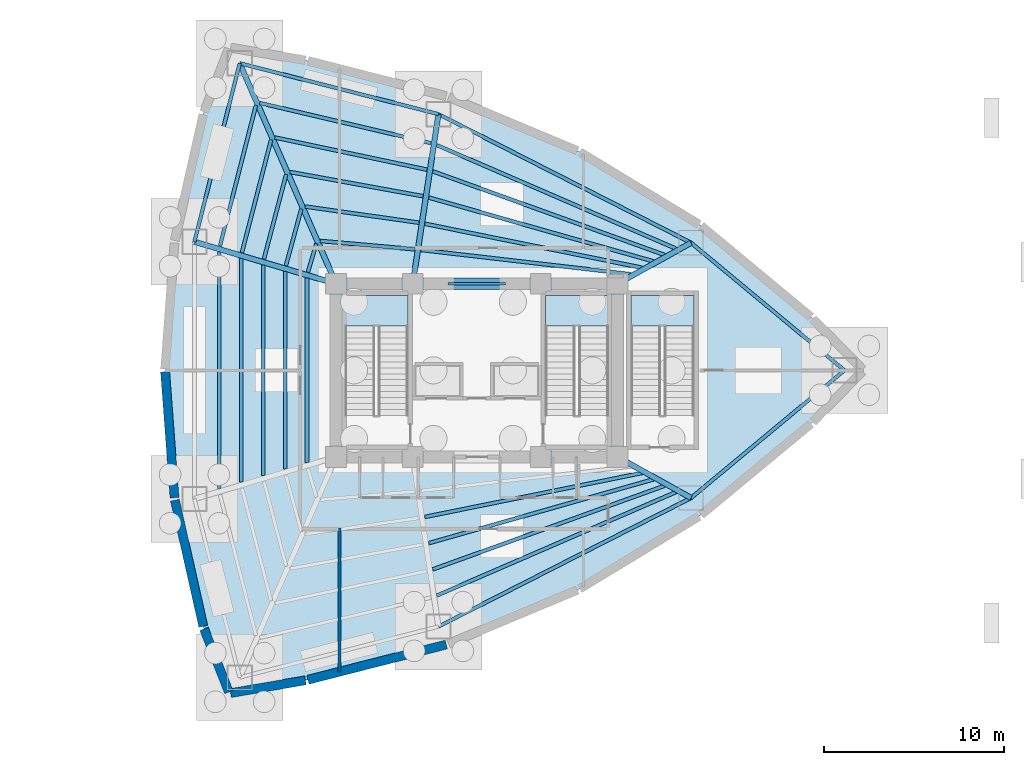
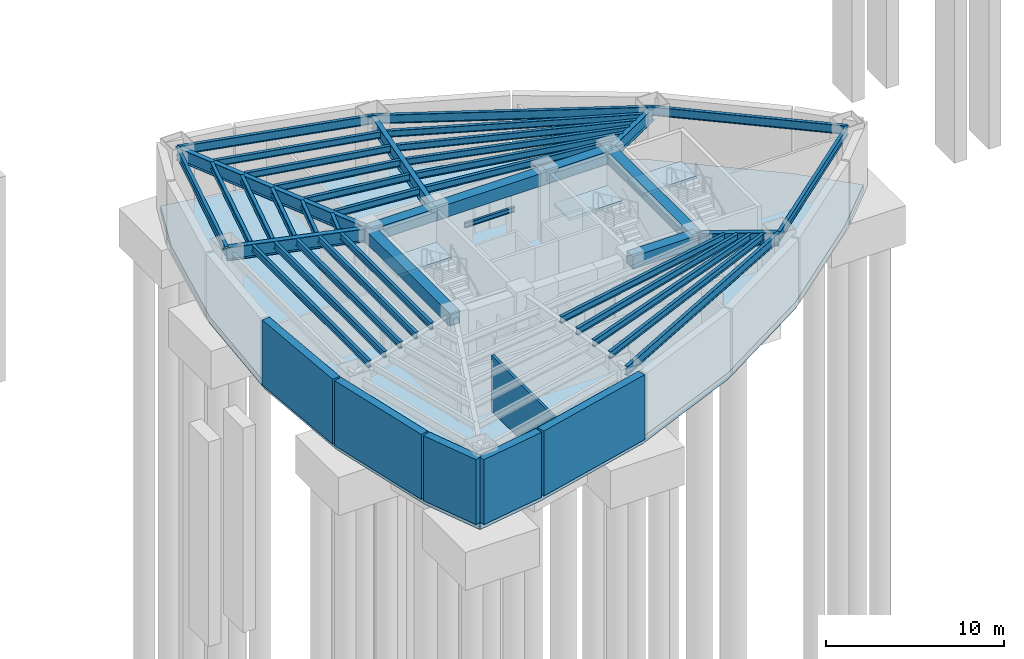
# One storey, part 2 of 7: 42 beams, 6 walls, 4 slabs, 3 elements without a shape of their own.
"""IFC4 building model written with IfcOpenShell, lengths in metres."""

from ifc_helpers import new_model, si_unit, direction, frame, frame_2d, origin, origin_2d, place, context, subcontext, project, spatial, polyline, rectangle, i_section, outline, extrude, material, layer, layer_set, material_profile, profile_set, type_object, element, aggregate, save


model = new_model("IFC4")

# Units and contexts
model_context = context("Model", 3, precision=1e-05, world=origin(), true_north=direction((0.0, 1.0)))
body_context = subcontext(model_context, "Body", "Model", "MODEL_VIEW")
ifc_project = project(units=[si_unit("LENGTHUNIT", "METRE"), si_unit("AREAUNIT", "SQUARE_METRE"), si_unit("VOLUMEUNIT", "CUBIC_METRE"), si_unit("PLANEANGLEUNIT", "RADIAN"), si_unit("MASSUNIT", "GRAM", prefix="KILO")], contexts=[model_context])

# Site, building, storey
site_placement = place(None, origin())
site = spatial("IfcSite", under=ifc_project, at=site_placement, CompositionType="ELEMENT")
building_placement = place(site_placement, origin())
building = spatial("IfcBuilding", under=site, at=building_placement, Name="Menara Vayukalpa", CompositionType="ELEMENT")
storey_placement = place(building_placement, frame((0.0, 0.0, -9.60009765625)))
storey = spatial("IfcBuildingStorey", under=building, at=storey_placement, Name="B02", CompositionType="ELEMENT", Elevation=-9.60009765625)

# Beams
ifc_material_1 = material(Name="Concrete C60/75", Category="concrete")
ifc_material_profile_1 = material_profile(ifc_material_1, rectangle(XDim=0.64990234375, YDim=0.85009765625, at=origin_2d()), Name="RC 650x850")
ifc_profile_set_1 = profile_set([ifc_material_profile_1], Name="Concrete C60/75")
beam_type_1 = type_object("IfcBeamType", Name="BM-CB1", PredefinedType="BEAM", material=ifc_profile_set_1)
for number, where, z_axis, x_axis, name in (
    (1, (29.14990234375, 17.199951171875, 4.01513671875), (1.0, 0.0, 0.0), (0.0, 1.0, 0.0), "B02 Core Tie Beam CBR3"),
    (2, (17.800048828125, 26.800048828125, 4.01513671875), (1.0, 0.0, 0.0), (0.0, 1.0, 0.0), "B02 Core Tie Beam CBR4"),
):
    element("IfcBeam", number, at=place(storey_placement, frame(where, z_axis=z_axis, x_axis=x_axis)), inside=storey, type_object=beam_type_1, Name=name, PredefinedType="BEAM", context=body_context, shape_type="SweptSolid", body=[
        extrude(rectangle(XDim=0.64990234375, YDim=0.85009765625, at=origin_2d()), origin(), (0.0, 0.0, 1.0), 4.25),
    ])
beam_1_placement = place(storey_placement, frame((22.050048828125, 26.800048828125, 4.01513671875), z_axis=(1.0, 0.0, 0.0), x_axis=(0.0, 1.0, 0.0)))
element("IfcBeam", 3, at=beam_1_placement, inside=storey, type_object=beam_type_1, Name="B02 Core Tie Beam CBR5", PredefinedType="BEAM", context=body_context, shape_type="SweptSolid", body=[
    extrude(rectangle(XDim=0.64990234375, YDim=0.85009765625, at=origin_2d()), origin(), (0.0, 0.0, 1.0), 7.099853515625),
])
beam_2_placement = place(storey_placement, frame((29.14990234375, 26.800048828125, 4.01513671875), z_axis=(1.0, 0.0, 0.0), x_axis=(0.0, 1.0, 0.0)))
element("IfcBeam", 4, at=beam_2_placement, inside=storey, type_object=beam_type_1, Name="B02 Core Tie Beam CBR6", PredefinedType="BEAM", context=body_context, shape_type="SweptSolid", body=[
    extrude(rectangle(XDim=0.64990234375, YDim=0.85009765625, at=origin_2d()), origin(), (0.0, 0.0, 1.0), 4.25),
])
for number, where, z_axis, x_axis, name in (
    (5, (17.800048828125, 17.199951171875, 4.01513671875), (0.0, 1.0, 0.0), (-1.0, 0.0, 0.0), "B02 Core Tie Beam CBR7"),
    (6, (33.39990234375, 17.199951171875, 4.01513671875), (0.0, 1.0, 0.0), (-1.0, 0.0, 0.0), "B02 Core Tie Beam CBR8"),
):
    element("IfcBeam", number, at=place(storey_placement, frame(where, z_axis=z_axis, x_axis=x_axis)), inside=storey, type_object=beam_type_1, Name=name, PredefinedType="BEAM", context=body_context, shape_type="SweptSolid", body=[
        extrude(rectangle(XDim=0.64990234375, YDim=0.85009765625, at=origin_2d()), origin(), (0.0, 0.0, 1.0), 9.60009765625),
    ])
ifc_material_2 = material(Name="Steel S355", Category="steel")
ifc_material_profile_2 = material_profile(ifc_material_2, i_section(OverallWidth=0.14990234375, OverallDepth=0.300048828125, WebThickness=0.006591796875, FlangeThickness=0.009033203125, at=origin_2d()), Name="WF 300x150x6.5x9")
ifc_profile_set_2 = profile_set([ifc_material_profile_2], Name="Steel S355")
beam_type_2 = type_object("IfcBeamType", Name="BM-LN1", PredefinedType="LINTEL", material=ifc_profile_set_2)
beam_3_placement = place(storey_placement, frame((24.0, 26.800048828125, 2.380126953125), z_axis=(1.0, 0.0, 0.0), x_axis=(0.0, 1.0, 0.0)))
element("IfcBeam", 7, at=beam_3_placement, inside=storey, type_object=beam_type_2, Name="B02 North Core Steel Lintel LN1", PredefinedType="LINTEL", context=body_context, shape_type="SweptSolid", body=[
    extrude(i_section(OverallWidth=0.14990234375, OverallDepth=0.300048828125, WebThickness=0.006591796875, FlangeThickness=0.009033203125, at=origin_2d()), origin(), (0.0, 0.0, 1.0), 3.199951171875),
])
ifc_material_3 = material(Name="Steel S355", Category="steel")
ifc_material_profile_3 = material_profile(ifc_material_3, i_section(OverallWidth=0.300048828125, OverallDepth=0.89990234375, WebThickness=0.01611328125, FlangeThickness=0.028076171875, at=origin_2d()), Name="WF 900x300x16x28")
ifc_profile_set_3 = profile_set([ifc_material_profile_3], Name="Steel S355")
beam_type_3 = type_object("IfcBeamType", Name="BM-PG1", PredefinedType="BEAM", material=ifc_profile_set_3)
beam_4_placement = place(storey_placement, frame((33.618408203125, 26.921630859375, 3.989990234375), z_axis=(0.873472891879, 0.486872783335, 0.0), x_axis=(-0.486872783335, 0.873472891879, 0.0)))
element("IfcBeam", 8, at=beam_4_placement, inside=storey, type_object=beam_type_3, Name="B02 Primary Radial Girder RG02", PredefinedType="BEAM", context=body_context, shape_type="SweptSolid", body=[
    extrude(i_section(OverallWidth=0.300048828125, OverallDepth=0.89990234375, WebThickness=0.01611328125, FlangeThickness=0.028076171875, at=origin_2d()), origin(), (0.0, 0.0, 1.0), 4.414306640625),
])
beam_5_placement = place(storey_placement, frame((22.08740234375, 27.047119140625, 3.989990234375), z_axis=(0.149956157605, 0.988692647285, 0.0), x_axis=(-0.988692647285, 0.149956157605, 0.0)))
element("IfcBeam", 9, at=beam_5_placement, inside=storey, type_object=beam_type_3, Name="B02 Primary Radial Girder RG03", PredefinedType="BEAM", context=body_context, shape_type="SweptSolid", body=[
    extrude(i_section(OverallWidth=0.300048828125, OverallDepth=0.89990234375, WebThickness=0.01611328125, FlangeThickness=0.028076171875, at=origin_2d()), origin(), (0.0, 0.0, 1.0), 9.25732421875),
])
beam_6_placement = place(storey_placement, frame((17.699951171875, 27.029052734375, 3.989990234375), z_axis=(-0.400426299501, 0.916328968585, 0.0), x_axis=(-0.916328968585, -0.400426299501, 0.0)))
element("IfcBeam", 10, at=beam_6_placement, inside=storey, type_object=beam_type_3, Name="B02 Primary Radial Girder RG04", PredefinedType="BEAM", context=body_context, shape_type="SweptSolid", body=[
    extrude(i_section(OverallWidth=0.300048828125, OverallDepth=0.89990234375, WebThickness=0.01611328125, FlangeThickness=0.028076171875, at=origin_2d()), origin(), (0.0, 0.0, 1.0), 13.084716796875),
])
beam_7_placement = place(storey_placement, frame((17.560302734375, 26.87109375, 3.989990234375), z_axis=(-0.958678858065, 0.284490504409, 0.0), x_axis=(-0.284490504409, -0.958678858065, 0.0)))
element("IfcBeam", 11, at=beam_7_placement, inside=storey, type_object=beam_type_3, Name="B02 Primary Radial Girder RG05", PredefinedType="BEAM", context=body_context, shape_type="SweptSolid", body=[
    extrude(i_section(OverallWidth=0.300048828125, OverallDepth=0.89990234375, WebThickness=0.01611328125, FlangeThickness=0.028076171875, at=origin_2d()), origin(), (0.0, 0.0, 1.0), 7.936279296875),
])
beam_8_placement = place(storey_placement, frame((33.618408203125, 17.078369140625, 3.989990234375), z_axis=(0.873472891879, -0.486872783335, 0.0), x_axis=(0.486872783335, 0.873472891879, 0.0)))
element("IfcBeam", 12, at=beam_8_placement, inside=storey, type_object=beam_type_3, Name="B02 Primary Radial Girder RG09", PredefinedType="BEAM", context=body_context, shape_type="SweptSolid", body=[
    extrude(i_section(OverallWidth=0.300048828125, OverallDepth=0.89990234375, WebThickness=0.01611328125, FlangeThickness=0.028076171875, at=origin_2d()), origin(), (0.0, 0.0, 1.0), 4.414306640625),
])
ifc_material_4 = material(Name="Steel S355", Category="steel")
ifc_material_profile_4 = material_profile(ifc_material_4, i_section(OverallWidth=0.199951171875, OverallDepth=0.449951171875, WebThickness=0.009033203125, FlangeThickness=0.013916015625, at=origin_2d()), Name="WF 450x200x9x14")
ifc_profile_set_4 = profile_set([ifc_material_profile_4], Name="Steel S355")
beam_type_4 = type_object("IfcBeamType", Name="BM-SJ1", PredefinedType="JOIST", material=ifc_profile_set_4)
beam_9_placement = place(storey_placement, frame((34.1435546875, 27.328125, 4.215087890625), z_axis=(-0.993368624996, 0.114972931045, 0.0), x_axis=(-0.114972931045, -0.993368624996, 0.0)))
element("IfcBeam", 13, at=beam_9_placement, inside=storey, type_object=beam_type_4, Name="B02 Secondary Floor Joist SJ02-1", PredefinedType="JOIST", context=body_context, shape_type="SweptSolid", body=[
    extrude(i_section(OverallWidth=0.199951171875, OverallDepth=0.449951171875, WebThickness=0.009033203125, FlangeThickness=0.013916015625, at=origin_2d()), origin(), (0.0, 0.0, 1.0), 11.715087890625),
])
beam_10_placement = place(storey_placement, frame((34.7626953125, 27.686279296875, 4.215087890625), z_axis=(-0.980082096832, 0.198592757847, 0.0), x_axis=(-0.198592757847, -0.980082096832, 0.0)))
element("IfcBeam", 14, at=beam_10_placement, inside=storey, type_object=beam_type_4, Name="B02 Secondary Floor Joist SJ02-2", PredefinedType="JOIST", context=body_context, shape_type="SweptSolid", body=[
    extrude(i_section(OverallWidth=0.199951171875, OverallDepth=0.449951171875, WebThickness=0.009033203125, FlangeThickness=0.013916015625, at=origin_2d()), origin(), (0.0, 0.0, 1.0), 12.28125),
])
beam_11_placement = place(storey_placement, frame((35.3828125, 28.042724609375, 4.215087890625), z_axis=(-0.961920522013, 0.273329305656, 0.0), x_axis=(-0.273329305656, -0.961920522013, 0.0)))
element("IfcBeam", 15, at=beam_11_placement, inside=storey, type_object=beam_type_4, Name="B02 Secondary Floor Joist SJ02-3", PredefinedType="JOIST", context=body_context, shape_type="SweptSolid", body=[
    extrude(i_section(OverallWidth=0.199951171875, OverallDepth=0.449951171875, WebThickness=0.009033203125, FlangeThickness=0.013916015625, at=origin_2d()), origin(), (0.0, 0.0, 1.0), 12.93017578125),
])
beam_12_placement = place(storey_placement, frame((36.003173828125, 28.39794921875, 4.215087890625), z_axis=(-0.94065210614, 0.339372384284, 0.0), x_axis=(-0.339372384284, -0.94065210614, 0.0)))
element("IfcBeam", 16, at=beam_12_placement, inside=storey, type_object=beam_type_4, Name="B02 Secondary Floor Joist SJ02-4", PredefinedType="JOIST", context=body_context, shape_type="SweptSolid", body=[
    extrude(i_section(OverallWidth=0.199951171875, OverallDepth=0.449951171875, WebThickness=0.009033203125, FlangeThickness=0.013916015625, at=origin_2d()), origin(), (0.0, 0.0, 1.0), 13.649658203125),
])
beam_13_placement = place(storey_placement, frame((36.6240234375, 28.751708984375, 4.215087890625), z_axis=(-0.91768786967, 0.397302119125, 0.0), x_axis=(-0.397302119125, -0.91768786967, 0.0)))
element("IfcBeam", 17, at=beam_13_placement, inside=storey, type_object=beam_type_4, Name="B02 Secondary Floor Joist SJ02-5", PredefinedType="JOIST", context=body_context, shape_type="SweptSolid", body=[
    extrude(i_section(OverallWidth=0.199951171875, OverallDepth=0.449951171875, WebThickness=0.009033203125, FlangeThickness=0.013916015625, at=origin_2d()), origin(), (0.0, 0.0, 1.0), 14.43017578125),
])
beam_14_placement = place(storey_placement, frame((22.16796875, 28.709716796875, 4.215087890625), z_axis=(-0.996127818773, 0.08791682812, 0.0), x_axis=(-0.08791682812, -0.996127818773, 0.0)))
element("IfcBeam", 18, at=beam_14_placement, inside=storey, type_object=beam_type_4, Name="B02 Secondary Floor Joist SJ03-1", PredefinedType="JOIST", context=body_context, shape_type="SweptSolid", body=[
    extrude(i_section(OverallWidth=0.199951171875, OverallDepth=0.449951171875, WebThickness=0.009033203125, FlangeThickness=0.013916015625, at=origin_2d()), origin(), (0.0, 0.0, 1.0), 5.26220703125),
])
beam_15_placement = place(storey_placement, frame((22.39111328125, 30.18310546875, 4.215087890625), z_axis=(-0.989991622628, 0.141126139063, 0.0), x_axis=(-0.141126139063, -0.989991622628, 0.0)))
element("IfcBeam", 19, at=beam_15_placement, inside=storey, type_object=beam_type_4, Name="B02 Secondary Floor Joist SJ03-2", PredefinedType="JOIST", context=body_context, shape_type="SweptSolid", body=[
    extrude(i_section(OverallWidth=0.199951171875, OverallDepth=0.449951171875, WebThickness=0.009033203125, FlangeThickness=0.013916015625, at=origin_2d()), origin(), (0.0, 0.0, 1.0), 6.367919921875),
])
beam_16_placement = place(storey_placement, frame((22.6142578125, 31.65380859375, 4.215087890625), z_axis=(-0.98386051846, 0.178937084517, 0.0), x_axis=(-0.178937084517, -0.98386051846, 0.0)))
element("IfcBeam", 20, at=beam_16_placement, inside=storey, type_object=beam_type_4, Name="B02 Secondary Floor Joist SJ03-3", PredefinedType="JOIST", context=body_context, shape_type="SweptSolid", body=[
    extrude(i_section(OverallWidth=0.199951171875, OverallDepth=0.449951171875, WebThickness=0.009033203125, FlangeThickness=0.013916015625, at=origin_2d()), origin(), (0.0, 0.0, 1.0), 7.48779296875),
])
beam_17_placement = place(storey_placement, frame((22.83740234375, 33.123046875, 4.215087890625), z_axis=(-0.978324318859, 0.207078553039, 0.0), x_axis=(-0.207078553039, -0.978324318859, 0.0)))
element("IfcBeam", 21, at=beam_17_placement, inside=storey, type_object=beam_type_4, Name="B02 Secondary Floor Joist SJ03-4", PredefinedType="JOIST", context=body_context, shape_type="SweptSolid", body=[
    extrude(i_section(OverallWidth=0.199951171875, OverallDepth=0.449951171875, WebThickness=0.009033203125, FlangeThickness=0.013916015625, at=origin_2d()), origin(), (0.0, 0.0, 1.0), 8.615966796875),
])
beam_18_placement = place(storey_placement, frame((23.060302734375, 34.59130859375, 4.215087890625), z_axis=(-0.973474607698, 0.228795078983, 0.0), x_axis=(-0.228795078983, -0.973474607698, 0.0)))
element("IfcBeam", 22, at=beam_18_placement, inside=storey, type_object=beam_type_4, Name="B02 Secondary Floor Joist SJ03-5", PredefinedType="JOIST", context=body_context, shape_type="SweptSolid", body=[
    extrude(i_section(OverallWidth=0.199951171875, OverallDepth=0.449951171875, WebThickness=0.009033203125, FlangeThickness=0.013916015625, at=origin_2d()), origin(), (0.0, 0.0, 1.0), 9.749755859375),
])
beam_19_placement = place(storey_placement, frame((16.70849609375, 29.0244140625, 4.215087890625), z_axis=(-0.284173863657, -0.958772765161, 0.0), x_axis=(0.958772765161, -0.284173863657, 0.0)))
element("IfcBeam", 23, at=beam_19_placement, inside=storey, type_object=beam_type_4, Name="B02 Secondary Floor Joist SJ04-1", PredefinedType="JOIST", context=body_context, shape_type="SweptSolid", body=[
    extrude(i_section(OverallWidth=0.199951171875, OverallDepth=0.449951171875, WebThickness=0.009033203125, FlangeThickness=0.013916015625, at=origin_2d()), origin(), (0.0, 0.0, 1.0), 1.652099609375),
])
beam_20_placement = place(storey_placement, frame((15.873779296875, 30.941650390625, 4.215087890625), z_axis=(-0.262945960317, -0.964810562729, 0.0), x_axis=(0.964810562729, -0.262945960317, 0.0)))
element("IfcBeam", 24, at=beam_20_placement, inside=storey, type_object=beam_type_4, Name="B02 Secondary Floor Joist SJ04-2", PredefinedType="JOIST", context=body_context, shape_type="SweptSolid", body=[
    extrude(i_section(OverallWidth=0.199951171875, OverallDepth=0.449951171875, WebThickness=0.009033203125, FlangeThickness=0.013916015625, at=origin_2d()), origin(), (0.0, 0.0, 1.0), 3.25341796875),
])
beam_21_placement = place(storey_placement, frame((15.036865234375, 32.859619140625, 4.215087890625), z_axis=(-0.254819975699, -0.966988510782, 0.0), x_axis=(0.966988510782, -0.254819975699, 0.0)))
element("IfcBeam", 25, at=beam_21_placement, inside=storey, type_object=beam_type_4, Name="B02 Secondary Floor Joist SJ04-3", PredefinedType="JOIST", context=body_context, shape_type="SweptSolid", body=[
    extrude(i_section(OverallWidth=0.199951171875, OverallDepth=0.449951171875, WebThickness=0.009033203125, FlangeThickness=0.013916015625, at=origin_2d()), origin(), (0.0, 0.0, 1.0), 4.855712890625),
])
beam_22_placement = place(storey_placement, frame((14.19921875, 34.77783203125, 4.215087890625), z_axis=(-0.250533111623, -0.968108031152, 0.0), x_axis=(0.968108031152, -0.250533111623, 0.0)))
element("IfcBeam", 26, at=beam_22_placement, inside=storey, type_object=beam_type_4, Name="B02 Secondary Floor Joist SJ04-4", PredefinedType="JOIST", context=body_context, shape_type="SweptSolid", body=[
    extrude(i_section(OverallWidth=0.199951171875, OverallDepth=0.449951171875, WebThickness=0.009033203125, FlangeThickness=0.013916015625, at=origin_2d()), origin(), (0.0, 0.0, 1.0), 6.4580078125),
])
beam_23_placement = place(storey_placement, frame((13.361328125, 36.696044921875, 4.215087890625), z_axis=(-0.247855728428, -0.9687969539, 0.0), x_axis=(0.9687969539, -0.247855728428, 0.0)))
element("IfcBeam", 27, at=beam_23_placement, inside=storey, type_object=beam_type_4, Name="B02 Secondary Floor Joist SJ04-5", PredefinedType="JOIST", context=body_context, shape_type="SweptSolid", body=[
    extrude(i_section(OverallWidth=0.199951171875, OverallDepth=0.449951171875, WebThickness=0.009033203125, FlangeThickness=0.013916015625, at=origin_2d()), origin(), (0.0, 0.0, 1.0), 8.060302734375),
])
beam_24_placement = place(storey_placement, frame((16.19091796875, 27.107421875, 4.215087890625), z_axis=(0.0, -1.0, 0.0), x_axis=(1.0, 0.0, 0.0)))
element("IfcBeam", 28, at=beam_24_placement, inside=storey, type_object=beam_type_4, Name="B02 Secondary Floor Joist SJ05-1", PredefinedType="JOIST", context=body_context, shape_type="SweptSolid", body=[
    extrude(i_section(OverallWidth=0.199951171875, OverallDepth=0.449951171875, WebThickness=0.009033203125, FlangeThickness=0.013916015625, at=origin_2d()), origin(), (0.0, 0.0, 1.0), 10.21484375),
])
beam_25_placement = place(storey_placement, frame((14.973388671875, 27.46875, 4.215087890625), z_axis=(0.0, -1.0, 0.0), x_axis=(1.0, 0.0, 0.0)))
element("IfcBeam", 29, at=beam_25_placement, inside=storey, type_object=beam_type_4, Name="B02 Secondary Floor Joist SJ05-2", PredefinedType="JOIST", context=body_context, shape_type="SweptSolid", body=[
    extrude(i_section(OverallWidth=0.199951171875, OverallDepth=0.449951171875, WebThickness=0.009033203125, FlangeThickness=0.013916015625, at=origin_2d()), origin(), (0.0, 0.0, 1.0), 10.9375),
])
beam_26_placement = place(storey_placement, frame((13.756103515625, 27.830078125, 4.215087890625), z_axis=(0.0, -1.0, 0.0), x_axis=(1.0, 0.0, 0.0)))
element("IfcBeam", 30, at=beam_26_placement, inside=storey, type_object=beam_type_4, Name="B02 Secondary Floor Joist SJ05-3", PredefinedType="JOIST", context=body_context, shape_type="SweptSolid", body=[
    extrude(i_section(OverallWidth=0.199951171875, OverallDepth=0.449951171875, WebThickness=0.009033203125, FlangeThickness=0.013916015625, at=origin_2d()), origin(), (0.0, 0.0, 1.0), 11.66015625),
])
beam_27_placement = place(storey_placement, frame((12.538818359375, 28.191162109375, 4.215087890625), z_axis=(0.0, -1.0, 0.0), x_axis=(1.0, 0.0, 0.0)))
element("IfcBeam", 31, at=beam_27_placement, inside=storey, type_object=beam_type_4, Name="B02 Secondary Floor Joist SJ05-4", PredefinedType="JOIST", context=body_context, shape_type="SweptSolid", body=[
    extrude(i_section(OverallWidth=0.199951171875, OverallDepth=0.449951171875, WebThickness=0.009033203125, FlangeThickness=0.013916015625, at=origin_2d()), origin(), (0.0, 0.0, 1.0), 12.38232421875),
])
beam_28_placement = place(storey_placement, frame((11.321533203125, 28.552490234375, 4.215087890625), z_axis=(0.0, -1.0, 0.0), x_axis=(1.0, 0.0, 0.0)))
element("IfcBeam", 32, at=beam_28_placement, inside=storey, type_object=beam_type_4, Name="B02 Secondary Floor Joist SJ05-5", PredefinedType="JOIST", context=body_context, shape_type="SweptSolid", body=[
    extrude(i_section(OverallWidth=0.199951171875, OverallDepth=0.449951171875, WebThickness=0.009033203125, FlangeThickness=0.013916015625, at=origin_2d()), origin(), (0.0, 0.0, 1.0), 13.10498046875),
])
beam_29_placement = place(storey_placement, frame((22.72607421875, 13.874755859375, 4.215087890625), z_axis=(0.980082096832, 0.198592757847, 0.0), x_axis=(-0.198592757847, 0.980082096832, 0.0)))
element("IfcBeam", 33, at=beam_29_placement, inside=storey, type_object=beam_type_4, Name="B02 Secondary Floor Joist SJ08-2", PredefinedType="JOIST", context=body_context, shape_type="SweptSolid", body=[
    extrude(i_section(OverallWidth=0.199951171875, OverallDepth=0.449951171875, WebThickness=0.009033203125, FlangeThickness=0.013916015625, at=origin_2d()), origin(), (0.0, 0.0, 1.0), 12.28125),
])
beam_30_placement = place(storey_placement, frame((22.945068359375, 12.423095703125, 4.215087890625), z_axis=(0.961920522013, 0.273329305656, 0.0), x_axis=(-0.273329305656, 0.961920522013, 0.0)))
element("IfcBeam", 34, at=beam_30_placement, inside=storey, type_object=beam_type_4, Name="B02 Secondary Floor Joist SJ08-3", PredefinedType="JOIST", context=body_context, shape_type="SweptSolid", body=[
    extrude(i_section(OverallWidth=0.199951171875, OverallDepth=0.449951171875, WebThickness=0.009033203125, FlangeThickness=0.013916015625, at=origin_2d()), origin(), (0.0, 0.0, 1.0), 12.93017578125),
])
beam_31_placement = place(storey_placement, frame((23.16357421875, 10.9697265625, 4.215087890625), z_axis=(0.94065210614, 0.339372384284, 0.0), x_axis=(-0.339372384284, 0.94065210614, 0.0)))
element("IfcBeam", 35, at=beam_31_placement, inside=storey, type_object=beam_type_4, Name="B02 Secondary Floor Joist SJ08-4", PredefinedType="JOIST", context=body_context, shape_type="SweptSolid", body=[
    extrude(i_section(OverallWidth=0.199951171875, OverallDepth=0.449951171875, WebThickness=0.009033203125, FlangeThickness=0.013916015625, at=origin_2d()), origin(), (0.0, 0.0, 1.0), 13.649658203125),
])
beam_32_placement = place(storey_placement, frame((23.381591796875, 9.51513671875, 4.215087890625), z_axis=(0.91768786967, 0.397302119125, 0.0), x_axis=(-0.397302119125, 0.91768786967, 0.0)))
element("IfcBeam", 36, at=beam_32_placement, inside=storey, type_object=beam_type_4, Name="B02 Secondary Floor Joist SJ08-5", PredefinedType="JOIST", context=body_context, shape_type="SweptSolid", body=[
    extrude(i_section(OverallWidth=0.199951171875, OverallDepth=0.449951171875, WebThickness=0.009033203125, FlangeThickness=0.013916015625, at=origin_2d()), origin(), (0.0, 0.0, 1.0), 14.43017578125),
])
ifc_material_5 = material(Name="Steel S355", Category="steel")
ifc_material_profile_5 = material_profile(ifc_material_5, i_section(OverallWidth=0.199951171875, OverallDepth=0.60009765625, WebThickness=0.010986328125, FlangeThickness=0.01708984375, at=origin_2d()), Name="WF 600x200x11x17")
ifc_profile_set_5 = profile_set([ifc_material_profile_5], Name="Steel S355")
beam_type_5 = type_object("IfcBeamType", Name="BM-SP1", PredefinedType="SPANDREL", material=ifc_profile_set_5)
beam_33_placement = place(storey_placement, frame((45.979248046875, 22.0, 4.14013671875), z_axis=(-0.768967992195, 0.639287280477, 0.0), x_axis=(-0.639287280477, -0.768967992195, 0.0)))
element("IfcBeam", 37, at=beam_33_placement, inside=storey, type_object=beam_type_5, Name="B02 Perimeter Spandrel Beam SP01", PredefinedType="SPANDREL", context=body_context, shape_type="SweptSolid", body=[
    extrude(i_section(OverallWidth=0.199951171875, OverallDepth=0.60009765625, WebThickness=0.010986328125, FlangeThickness=0.01708984375, at=origin_2d()), origin(), (0.0, 0.0, 1.0), 11.060546875),
])
beam_34_placement = place(storey_placement, frame((37.47412109375, 29.07080078125, 4.14013671875), z_axis=(-0.891101872915, 0.453803318726, 0.0), x_axis=(-0.453803318726, -0.891101872915, 0.0)))
element("IfcBeam", 38, at=beam_34_placement, inside=storey, type_object=beam_type_5, Name="B02 Perimeter Spandrel Beam SP02", PredefinedType="SPANDREL", context=body_context, shape_type="SweptSolid", body=[
    extrude(i_section(OverallWidth=0.199951171875, OverallDepth=0.60009765625, WebThickness=0.010986328125, FlangeThickness=0.01708984375, at=origin_2d()), origin(), (0.0, 0.0, 1.0), 15.709228515625),
])
beam_35_placement = place(storey_placement, frame((23.4755859375, 36.19970703125, 4.14013671875), z_axis=(-0.968770804637, 0.247957915953, 0.0), x_axis=(-0.247957915953, -0.968770804637, 0.0)))
element("IfcBeam", 39, at=beam_35_placement, inside=storey, type_object=beam_type_5, Name="B02 Perimeter Spandrel Beam SP03", PredefinedType="SPANDREL", context=body_context, shape_type="SweptSolid", body=[
    extrude(i_section(OverallWidth=0.199951171875, OverallDepth=0.60009765625, WebThickness=0.010986328125, FlangeThickness=0.01708984375, at=origin_2d()), origin(), (0.0, 0.0, 1.0), 11.3701171875),
])
beam_36_placement = place(storey_placement, frame((12.46044921875, 39.01904296875, 4.14013671875), z_axis=(-0.24585591488, -0.969306385576, 0.0), x_axis=(0.969306385576, -0.24585591488, 0.0)))
element("IfcBeam", 40, at=beam_36_placement, inside=storey, type_object=beam_type_5, Name="B02 Perimeter Spandrel Beam SP04", PredefinedType="SPANDREL", context=body_context, shape_type="SweptSolid", body=[
    extrude(i_section(OverallWidth=0.199951171875, OverallDepth=0.60009765625, WebThickness=0.010986328125, FlangeThickness=0.01708984375, at=origin_2d()), origin(), (0.0, 0.0, 1.0), 10.203369140625),
])
beam_37_placement = place(storey_placement, frame((23.4755859375, 7.80029296875, 4.14013671875), z_axis=(0.891101872915, 0.453803318726, 0.0), x_axis=(-0.453803318726, 0.891101872915, 0.0)))
element("IfcBeam", 41, at=beam_37_placement, inside=storey, type_object=beam_type_5, Name="B02 Perimeter Spandrel Beam SP08", PredefinedType="SPANDREL", context=body_context, shape_type="SweptSolid", body=[
    extrude(i_section(OverallWidth=0.199951171875, OverallDepth=0.60009765625, WebThickness=0.010986328125, FlangeThickness=0.01708984375, at=origin_2d()), origin(), (0.0, 0.0, 1.0), 15.709228515625),
])
beam_38_placement = place(storey_placement, frame((37.47412109375, 14.92919921875, 4.14013671875), z_axis=(0.768967992195, 0.639287280477, 0.0), x_axis=(-0.639287280477, 0.768967992195, 0.0)))
element("IfcBeam", 42, at=beam_38_placement, inside=storey, type_object=beam_type_5, Name="B02 Perimeter Spandrel Beam SP09", PredefinedType="SPANDREL", context=body_context, shape_type="SweptSolid", body=[
    extrude(i_section(OverallWidth=0.199951171875, OverallDepth=0.60009765625, WebThickness=0.010986328125, FlangeThickness=0.01708984375, at=origin_2d()), origin(), (0.0, 0.0, 1.0), 11.060546875),
])

# Slab
ifc_material_6 = material(Name="Concrete C50/60", Category="concrete")
ifc_layer_1 = layer(ifc_material_6, 0.449951171875)
ifc_layer_set_1 = layer_set([ifc_layer_1], Name="Concrete C50/60")
slab_type_1 = type_object("IfcSlabType", Name="SLB-BS450", PredefinedType="BASESLAB", material=ifc_layer_set_1)
slab_1_placement = place(storey_placement, frame((0.0, 0.0, -0.449951171875)))
element("IfcSlab", 43, at=slab_1_placement, inside=storey, type_object=slab_type_1, Name="Basement Piled Raft Base Slab", PredefinedType="BASESLAB", context=body_context, shape_type="SweptSolid", body=[
    extrude(outline(polyline([(44.17041015625, 19.088134765625), (47.029296875, 22.0), (44.17041015625, 24.911865234375), (37.97314453125, 30.051025390625), (31.2412109375, 34.140380859375), (23.974853515625, 37.179931640625), (16.173583984375, 39.169677734375), (11.885498046875, 39.8974609375), (10.4560546875, 36.2578125), (8.85205078125, 29.12890625), (8.3173828125, 22.0), (8.85205078125, 14.87109375), (10.4560546875, 7.7421875), (11.885498046875, 4.1025390625), (16.173583984375, 4.830322265625), (23.974853515625, 6.820068359375), (31.2412109375, 9.859619140625), (37.97314453125, 13.948974609375), (44.17041015625, 19.088134765625)])), origin(), (0.0, 0.0, 1.0), 0.449951171875),
])

# Stair, slab
ifc_material_7 = material(Name="Precast Concrete C40/50", Category="concrete")
stair_type = type_object("IfcStairType", Name="STR-T01", PredefinedType="DOUBLE_RETURN_STAIR", material=ifc_material_7)
stair_1_placement = place(storey_placement, origin())
stair_1 = element("IfcStair", 44, at=stair_1_placement, inside=storey, type_object=stair_type, Name="B02 Core Exit Stair ST-1", PredefinedType="DOUBLE_RETURN_STAIR")
ifc_material_8 = material(Name="Precast Concrete C40/50", Category="concrete")
ifc_layer_2 = layer(ifc_material_8, 0.199951171875)
ifc_layer_set_2 = layer_set([ifc_layer_2], Name="Precast Concrete C40/50")
slab_type_2 = type_object("IfcSlabType", Name="SLB-LND200", PredefinedType="LANDING", material=ifc_layer_set_2)
slab_2_placement = place(storey_placement, frame((0.0, 0.0, 2.2001953125)))
slab_2 = element("IfcSlab", 45, at=slab_2_placement, type_object=slab_type_2, Name="ST-1 landing 1", PredefinedType="LANDING", context=body_context, shape_type="SweptSolid", body=[
    extrude(outline(polyline([(21.800048828125, 24.449951171875), (21.800048828125, 26.14990234375), (18.300048828125, 26.14990234375), (18.300048828125, 24.449951171875), (21.800048828125, 24.449951171875)])), origin(), (0.0, 0.0, 1.0), 0.199951171875),
])
aggregate(stair_1, [slab_2])

stair_2_placement = place(storey_placement, origin())
stair_2 = element("IfcStair", 46, at=stair_2_placement, inside=storey, type_object=stair_type, Name="B02 Core Exit Stair ST-2", PredefinedType="DOUBLE_RETURN_STAIR")
slab_3_placement = place(storey_placement, frame((0.0, 0.0, 2.2001953125)))
slab_3 = element("IfcSlab", 47, at=slab_3_placement, type_object=slab_type_2, Name="ST-2 landing 1", PredefinedType="LANDING", context=body_context, shape_type="SweptSolid", body=[
    extrude(outline(polyline([(32.89990234375, 24.449951171875), (32.89990234375, 26.14990234375), (29.39990234375, 26.14990234375), (29.39990234375, 24.449951171875), (32.89990234375, 24.449951171875)])), origin(), (0.0, 0.0, 1.0), 0.199951171875),
])
aggregate(stair_2, [slab_3])

stair_3_placement = place(storey_placement, origin())
stair_3 = element("IfcStair", 48, at=stair_3_placement, inside=storey, type_object=stair_type, Name="B02 Podium Exit Stair ST-3", PredefinedType="DOUBLE_RETURN_STAIR")
slab_4_placement = place(storey_placement, frame((0.0, 0.0, 2.2001953125)))
slab_4 = element("IfcSlab", 49, at=slab_4_placement, type_object=slab_type_2, Name="ST-3 landing 1", PredefinedType="LANDING", context=body_context, shape_type="SweptSolid", body=[
    extrude(outline(polyline([(37.64990234375, 24.449951171875), (37.64990234375, 26.14990234375), (34.14990234375, 26.14990234375), (34.14990234375, 24.449951171875), (37.64990234375, 24.449951171875)])), origin(), (0.0, 0.0, 1.0), 0.199951171875),
])
aggregate(stair_3, [slab_4])

# Walls
ifc_material_9 = material(Name="Lightweight Concrete Blockwork C16/20", Category="masonry")
ifc_layer_3 = layer(ifc_material_9, 0.159912109375)
ifc_layer_set_3 = layer_set([ifc_layer_3], Name="Lightweight Concrete Blockwork C16/20")
wall_type_1 = type_object("IfcWallType", Name="WAL-FR150", PredefinedType="PARTITIONING", material=ifc_layer_set_3)
wall_1_placement = place(storey_placement, frame((18.0, 5.285888671875, 0.0), z_axis=(0.0, 0.0, 1.0), x_axis=(0.0, 1.0, 0.0)))
element("IfcWall", 50, at=wall_1_placement, inside=storey, type_object=wall_type_1, Name="B02 Interior Partition IW-B02-RDIV01", PredefinedType="PARTITIONING", context=body_context, shape_type="SweptSolid", body=[
    extrude(rectangle(XDim=7.97412109375, YDim=0.159912109375, at=frame_2d((3.987060546875, 0.0))), origin(), (0.0, 0.0, 1.0), 3.820068359375),
])
ifc_material_10 = material(Name="Concrete C50/60", Category="concrete")
ifc_layer_4 = layer(ifc_material_10, 0.5)
ifc_layer_set_4 = layer_set([ifc_layer_4], Name="Concrete C50/60")
wall_type_2 = type_object("IfcWallType", Name="WAL-RW500", PredefinedType="USERDEFINED", material=ifc_layer_set_4)
wall_2_placement = place(storey_placement, frame((8.322509765625, 21.93017578125, 0.0), z_axis=(0.0, 0.0, 1.0), x_axis=(0.074786484424, -0.997199569669, 0.0)))
element("IfcWall", 51, at=wall_2_placement, inside=storey, type_object=wall_type_2, Name="B02 Diaphragm Retaining Wall 11", ObjectType="RETAININGWALL", PredefinedType="USERDEFINED", context=body_context, shape_type="SweptSolid", body=[
    extrude(rectangle(XDim=7.0087890625, YDim=0.5, at=frame_2d((3.50439453125, 0.0))), origin(), (0.0, 0.0, 1.0), 4.440185546875),
])
wall_3_placement = place(storey_placement, frame((8.867431640625, 14.802734375, 0.0), z_axis=(0.0, 0.0, 1.0), x_axis=(0.219512195122, -0.975609756098, 0.0)))
element("IfcWall", 52, at=wall_3_placement, inside=storey, type_object=wall_type_2, Name="B02 Diaphragm Retaining Wall 12", ObjectType="RETAININGWALL", PredefinedType="USERDEFINED", context=body_context, shape_type="SweptSolid", body=[
    extrude(rectangle(XDim=7.1669921875, YDim=0.5, at=frame_2d((3.58349609375, 0.0))), origin(), (0.0, 0.0, 1.0), 4.440185546875),
])
wall_4_placement = place(storey_placement, frame((10.481689453125, 7.677001953125, 0.0), z_axis=(0.0, 0.0, 1.0), x_axis=(0.365544181941, -0.930793989586, 0.0)))
element("IfcWall", 53, at=wall_4_placement, inside=storey, type_object=wall_type_2, Name="B02 Diaphragm Retaining Wall 13", ObjectType="RETAININGWALL", PredefinedType="USERDEFINED", context=body_context, shape_type="SweptSolid", body=[
    extrude(rectangle(XDim=3.770263671875, YDim=0.5, at=frame_2d((1.88525390625, 0.0))), origin(), (0.0, 0.0, 1.0), 4.440185546875),
])
wall_5_placement = place(storey_placement, frame((11.954345703125, 4.1142578125, 0.0), z_axis=(0.0, 0.0, 1.0), x_axis=(0.985902093333, 0.167323227205, 0.0)))
element("IfcWall", 54, at=wall_5_placement, inside=storey, type_object=wall_type_2, Name="B02 Diaphragm Retaining Wall 14", ObjectType="RETAININGWALL", PredefinedType="USERDEFINED", context=body_context, shape_type="SweptSolid", body=[
    extrude(rectangle(XDim=4.20947265625, YDim=0.5, at=frame_2d((2.104736328125, 0.0))), origin(), (0.0, 0.0, 1.0), 4.440185546875),
])
wall_6_placement = place(storey_placement, frame((16.241455078125, 4.84765625, 0.0), z_axis=(0.0, 0.0, 1.0), x_axis=(0.968980634568, 0.247136662259, 0.0)))
element("IfcWall", 55, at=wall_6_placement, inside=storey, type_object=wall_type_2, Name="B02 Diaphragm Retaining Wall 15", ObjectType="RETAININGWALL", PredefinedType="USERDEFINED", context=body_context, shape_type="SweptSolid", body=[
    extrude(rectangle(XDim=7.910888671875, YDim=0.5, at=frame_2d((3.95556640625, 0.0))), origin(), (0.0, 0.0, 1.0), 4.440185546875),
])

save(model, "model.ifc")
